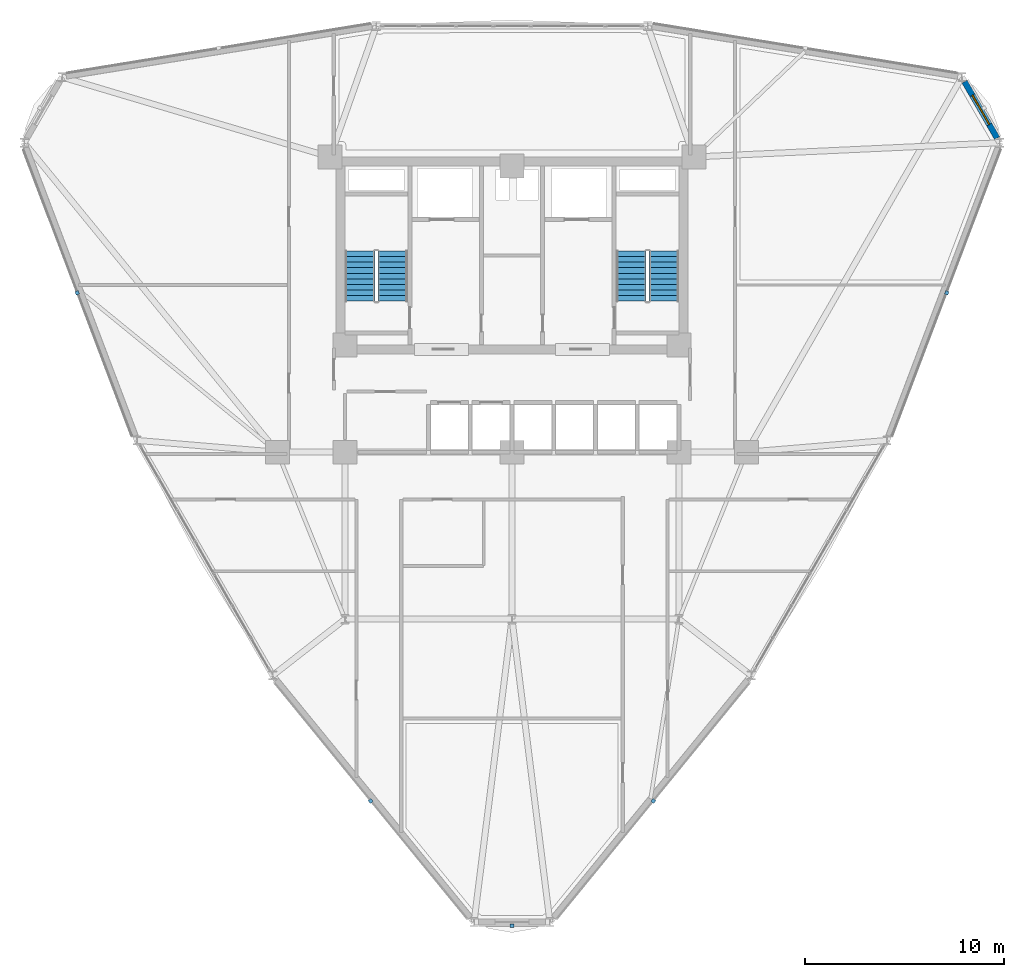
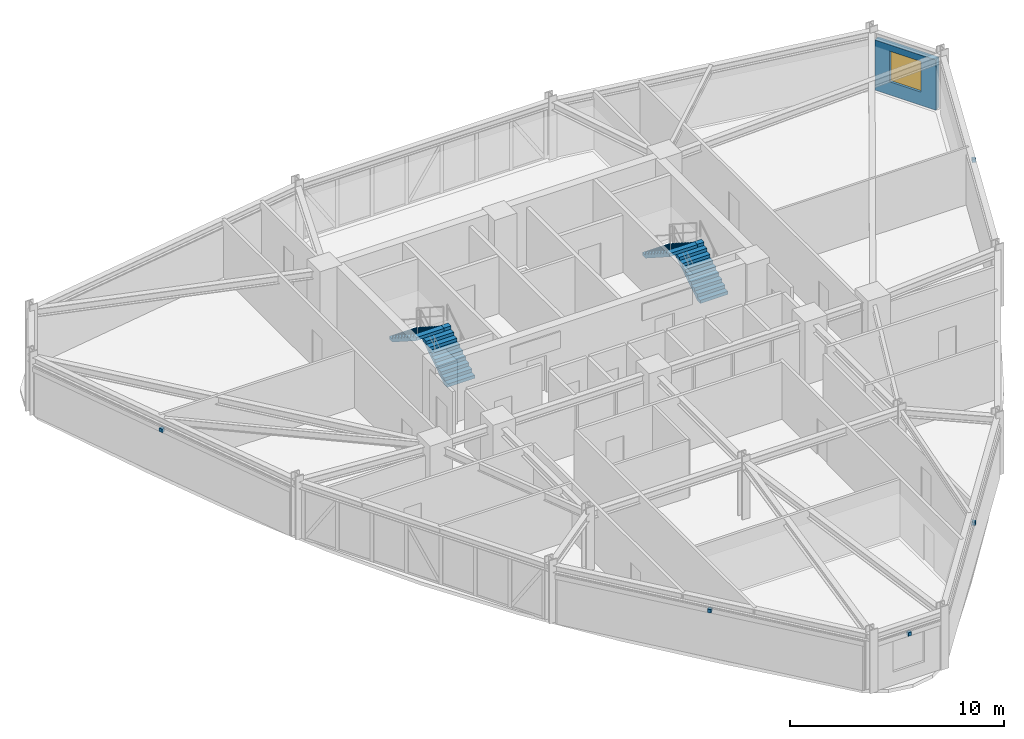
# One storey, part 12 of 17: 5 discrete accessories, 4 stair flights, 1 wall, 1 window, 1 opening, 2 elements without a shape of their own.
"""IFC4 building model written with IfcOpenShell, lengths in metres."""

from ifc_helpers import new_model, si_unit, derived_unit, direction, frame, frame_2d, origin, origin_2d, place, context, subcontext, project, spatial, polyline, rectangle, outline, extrude, source, transform, mapped, material, layer, layer_set, type_object, element, fill, aggregate, save


model = new_model("IFC4")

# Units and contexts
model_context = context("Model", 3, precision=1e-05, world=origin(), true_north=direction((0.0, 1.0)))
body_context = subcontext(model_context, "Body", "Model", "MODEL_VIEW")
ifc_project = project(units=[si_unit("LENGTHUNIT", "METRE"), si_unit("AREAUNIT", "SQUARE_METRE"), si_unit("VOLUMEUNIT", "CUBIC_METRE"), si_unit("PLANEANGLEUNIT", "RADIAN"), si_unit("MASSUNIT", "GRAM", prefix="KILO"), derived_unit("THERMALTRANSMITTANCEUNIT", [(si_unit("POWERUNIT", "WATT"), 1), (si_unit("LENGTHUNIT", "METRE"), -2), (si_unit("THERMODYNAMICTEMPERATUREUNIT", "KELVIN"), -1)])], contexts=[model_context])

# Site, building, storey
site_placement = place(None, origin())
site = spatial("IfcSite", under=ifc_project, at=site_placement, CompositionType="ELEMENT")
building_placement = place(site_placement, origin())
building = spatial("IfcBuilding", under=site, at=building_placement, Name="Korsvarv Bourse and Concert Hall", CompositionType="ELEMENT")
storey_placement = place(building_placement, frame((0.0, 0.0, 127.800048828125)))
storey = spatial("IfcBuildingStorey", under=building, at=storey_placement, Name="L32", CompositionType="ELEMENT", Elevation=127.800048828125)

# Wall, opening, window
ifc_material_1 = material(Name="Precast concrete C45/55 with terracotta rainscreen", Category="concrete")
ifc_layer = layer(ifc_material_1, 0.300048828125)
ifc_layer_set = layer_set([ifc_layer], Name="Precast concrete C45/55 with terracotta rainscreen")
wall_type = type_object("IfcWallType", Name="WL-EXT-TC1", PredefinedType="SOLIDWALL", material=ifc_layer_set)
wall_placement = place(storey_placement, frame((60.40771484375, 48.198486328125, 0.0), z_axis=(0.0, 0.0, 1.0), x_axis=(-0.500014611105, 0.866016967894, 0.0)))
wall = element("IfcWall", 1, at=wall_placement, inside=storey, type_object=wall_type, Name="L32 terracotta exterior wall EW-L32-B01", PredefinedType="SOLIDWALL", context=body_context, shape_type="SweptSolid", body=[
    extrude(rectangle(XDim=3.279296875, YDim=0.300048828125, at=frame_2d((1.6396484375, 0.0))), origin(), (0.0, 0.0, 1.0), 2.85986328125),
])
opening_placement = place(wall_placement, frame((0.78955078125, 0.0, 0.75)))
opening = element("IfcOpeningElement", 2, at=opening_placement, cuts=wall, Name="Opening W-01", PredefinedType="OPENING", context=body_context, shape_type="SweptSolid", body=[
    extrude(rectangle(XDim=1.699951171875, YDim=1.75, at=frame_2d((0.85009765625, 0.875))), frame((0.0, 0.16015625, 0.0), z_axis=(0.0, -1.0, 0.0), x_axis=(1.0, 0.0, 0.0)), (0.0, 0.0, 1.0), 0.320068359375),
])
ifc_material_2 = material(Name="Thermally broken aluminium frame with triple low-E glass", Category="glass")
window_type = type_object("IfcWindowType", Name="WIN-TW1", PartitioningType="SINGLE_PANEL", PredefinedType="WINDOW", material=ifc_material_2)
window_placement = place(opening_placement, origin())
window = element("IfcWindow", 3, at=window_placement, inside=storey, type_object=window_type, Name="L32 punched facade window W-01", OverallHeight=1.75, OverallWidth=1.699951171875, PartitioningType="SINGLE_PANEL", PredefinedType="WINDOW", context=body_context, shape_type="SweptSolid", body=[
    extrude(rectangle(XDim=1.699951171875, YDim=1.75, at=frame_2d((0.85009765625, 0.875))), frame((0.0, 0.030029296875, 0.0), z_axis=(0.0, -1.0, 0.0), x_axis=(1.0, 0.0, 0.0)), (0.0, 0.0, 1.0), 0.06005859375),
])
fill(opening, window)

# Stair, stair flights
ifc_material_3 = material(Name="Precast concrete C45/55", Category="concrete")
stair_type = type_object("IfcStairType", Name="STR-TYPE-04", PredefinedType="HALF_TURN_STAIR", material=ifc_material_3)
stair_1_placement = place(storey_placement, origin())
stair_1 = element("IfcStair", 4, at=stair_1_placement, inside=storey, type_object=stair_type, Name="L32 Tower West Exit Stair ST-T1", PredefinedType="HALF_TURN_STAIR")
stair_flight_type = type_object("IfcStairFlightType", Name="FLT-TYPE-04", PredefinedType="STRAIGHT", material=ifc_material_3)
stair_flight_1_placement = place(storey_placement, frame((30.010009765625, 40.0, 0.0), z_axis=(0.0, 0.0, 1.0), x_axis=(0.0, 1.0, 0.0)))
stair_flight_1 = element("IfcStairFlight", 5, at=stair_flight_1_placement, type_object=stair_flight_type, Name="ST-T1 flight 1", NumberOfRisers=10, NumberOfTreads=9, PredefinedType="STRAIGHT", RiserHeight=0.18, TreadLength=0.28, context=body_context, shape_type="SweptSolid", body=[
    extrude(outline(polyline([(0.0, 0.0), (0.0, 0.179931640625), (0.280029296875, 0.179931640625), (0.280029296875, 0.360107421875), (0.56005859375, 0.360107421875), (0.56005859375, 0.5400390625), (0.840087890625, 0.5400390625), (0.840087890625, 0.719970703125), (1.1201171875, 0.719970703125), (1.1201171875, 0.89990234375), (1.39990234375, 0.89990234375), (1.39990234375, 1.080078125), (1.679931640625, 1.080078125), (1.679931640625, 1.260009765625), (1.9599609375, 1.260009765625), (1.9599609375, 1.43994140625), (2.239990234375, 1.43994140625), (2.239990234375, 1.6201171875), (2.52001953125, 1.6201171875), (2.52001953125, 1.800048828125), (2.52001953125, 1.44189453125), (0.277099609375, 0.0), (0.0, 0.0)])), frame((0.0, 0.75, 0.0), z_axis=(0.0, -1.0, 0.0), x_axis=(1.0, 0.0, 0.0)), (0.0, 0.0, 1.0), 1.5),
])
stair_flight_2_placement = place(storey_placement, frame((28.35009765625, 42.52001953125, 1.800048828125), z_axis=(0.0, 0.0, 1.0), x_axis=(0.0, -1.0, 0.0)))
stair_flight_2 = element("IfcStairFlight", 6, at=stair_flight_2_placement, type_object=stair_flight_type, Name="ST-T1 flight 2", NumberOfRisers=10, NumberOfTreads=9, PredefinedType="STRAIGHT", RiserHeight=0.18, TreadLength=0.28, context=body_context, shape_type="SweptSolid", body=[
    extrude(outline(polyline([(0.0, 0.0), (0.0, 0.179931640625), (0.280029296875, 0.179931640625), (0.280029296875, 0.360107421875), (0.56005859375, 0.360107421875), (0.56005859375, 0.5400390625), (0.840087890625, 0.5400390625), (0.840087890625, 0.719970703125), (1.1201171875, 0.719970703125), (1.1201171875, 0.89990234375), (1.39990234375, 0.89990234375), (1.39990234375, 1.080078125), (1.679931640625, 1.080078125), (1.679931640625, 1.260009765625), (1.9599609375, 1.260009765625), (1.9599609375, 1.43994140625), (2.239990234375, 1.43994140625), (2.239990234375, 1.6201171875), (2.52001953125, 1.6201171875), (2.52001953125, 1.800048828125), (2.52001953125, 1.44189453125), (0.277099609375, 0.0), (0.0, 0.0)])), frame((0.0, 0.75, 0.0), z_axis=(0.0, -1.0, 0.0), x_axis=(1.0, 0.0, 0.0)), (0.0, 0.0, 1.0), 1.5),
])
aggregate(stair_1, [stair_flight_1, stair_flight_2])

stair_2_placement = place(storey_placement, origin())
stair_2 = element("IfcStair", 7, at=stair_2_placement, inside=storey, type_object=stair_type, Name="L32 Tower East Exit Stair ST-T2", PredefinedType="HALF_TURN_STAIR")
stair_flight_3_placement = place(storey_placement, frame((43.64990234375, 40.0, 0.0), z_axis=(0.0, 0.0, 1.0), x_axis=(0.0, 1.0, 0.0)))
stair_flight_3 = element("IfcStairFlight", 8, at=stair_flight_3_placement, type_object=stair_flight_type, Name="ST-T2 flight 1", NumberOfRisers=10, NumberOfTreads=9, PredefinedType="STRAIGHT", RiserHeight=0.18, TreadLength=0.28, context=body_context, shape_type="SweptSolid", body=[
    extrude(outline(polyline([(0.0, 0.0), (0.0, 0.179931640625), (0.280029296875, 0.179931640625), (0.280029296875, 0.360107421875), (0.56005859375, 0.360107421875), (0.56005859375, 0.5400390625), (0.840087890625, 0.5400390625), (0.840087890625, 0.719970703125), (1.1201171875, 0.719970703125), (1.1201171875, 0.89990234375), (1.39990234375, 0.89990234375), (1.39990234375, 1.080078125), (1.679931640625, 1.080078125), (1.679931640625, 1.260009765625), (1.9599609375, 1.260009765625), (1.9599609375, 1.43994140625), (2.239990234375, 1.43994140625), (2.239990234375, 1.6201171875), (2.52001953125, 1.6201171875), (2.52001953125, 1.800048828125), (2.52001953125, 1.44189453125), (0.277099609375, 0.0), (0.0, 0.0)])), frame((0.0, 0.75, 0.0), z_axis=(0.0, -1.0, 0.0), x_axis=(1.0, 0.0, 0.0)), (0.0, 0.0, 1.0), 1.5),
])
stair_flight_4_placement = place(storey_placement, frame((41.989990234375, 42.52001953125, 1.800048828125), z_axis=(0.0, 0.0, 1.0), x_axis=(0.0, -1.0, 0.0)))
stair_flight_4 = element("IfcStairFlight", 9, at=stair_flight_4_placement, type_object=stair_flight_type, Name="ST-T2 flight 2", NumberOfRisers=10, NumberOfTreads=9, PredefinedType="STRAIGHT", RiserHeight=0.18, TreadLength=0.28, context=body_context, shape_type="SweptSolid", body=[
    extrude(outline(polyline([(0.0, 0.0), (0.0, 0.179931640625), (0.280029296875, 0.179931640625), (0.280029296875, 0.360107421875), (0.56005859375, 0.360107421875), (0.56005859375, 0.5400390625), (0.840087890625, 0.5400390625), (0.840087890625, 0.719970703125), (1.1201171875, 0.719970703125), (1.1201171875, 0.89990234375), (1.39990234375, 0.89990234375), (1.39990234375, 1.080078125), (1.679931640625, 1.080078125), (1.679931640625, 1.260009765625), (1.9599609375, 1.260009765625), (1.9599609375, 1.43994140625), (2.239990234375, 1.43994140625), (2.239990234375, 1.6201171875), (2.52001953125, 1.6201171875), (2.52001953125, 1.800048828125), (2.52001953125, 1.44189453125), (0.277099609375, 0.0), (0.0, 0.0)])), frame((0.0, 0.75, 0.0), z_axis=(0.0, -1.0, 0.0), x_axis=(1.0, 0.0, 0.0)), (0.0, 0.0, 1.0), 1.5),
])
aggregate(stair_2, [stair_flight_3, stair_flight_4])

# Discrete accessories
ifc_material_4 = material(Name="Stainless Steel S355 facade outrigger bracket", Category="steel")
discrete_accessory_type = type_object("IfcDiscreteAccessoryType", Name="ACC-BRK-1", PredefinedType="BRACKET", material=ifc_material_4)
shared_shape = source(origin(), body_context, "Body", "SweptSolid", [
    extrude(rectangle(XDim=0.179931640625, YDim=0.179931640625, at=origin_2d()), origin(), (0.0, 0.0, 1.0), 0.199951171875),
])
for number, where, z_axis, x_axis, name in (
    (10, (14.128662109375, 40.4150390625, 2.5498046875), (0.0, 0.0, 1.0), (0.354454244484, -0.935073359992, 0.0), "L32 terracotta sunshade bracket EW-L32-B06"),
    (11, (28.8876953125, 14.851318359375, 2.60009765625), (0.0, 0.0, 1.0), (0.632570161913, -0.774503060199, 0.0), "L32 terracotta sunshade bracket EW-L32-B08"),
    (12, (36.0, 8.572998046875, 2.60009765625), (0.0, 0.0, 1.0), (1.0, 0.0, 0.0), "L32 terracotta sunshade bracket EW-L32-B09"),
    (13, (43.1123046875, 14.851318359375, 2.60009765625), (0.0, 0.0, 1.0), (0.632570161913, 0.774503060199, 0.0), "L32 terracotta sunshade bracket EW-L32-B10"),
    (14, (57.871337890625, 40.4150390625, 2.60009765625), (0.0, 0.0, 1.0), (0.354454244484, 0.935073359992, 0.0), "L32 terracotta sunshade bracket EW-L32-B12"),
):
    element("IfcDiscreteAccessory", number, at=place(storey_placement, frame(where, z_axis=z_axis, x_axis=x_axis)), inside=storey, type_object=discrete_accessory_type, Name=name, PredefinedType="BRACKET", context=body_context, shape_type="MappedRepresentation", body=[
        mapped(shared_shape, transform((0.0, 0.0, 0.0), scale=1.0)),
    ])

save(model, "model.ifc")
